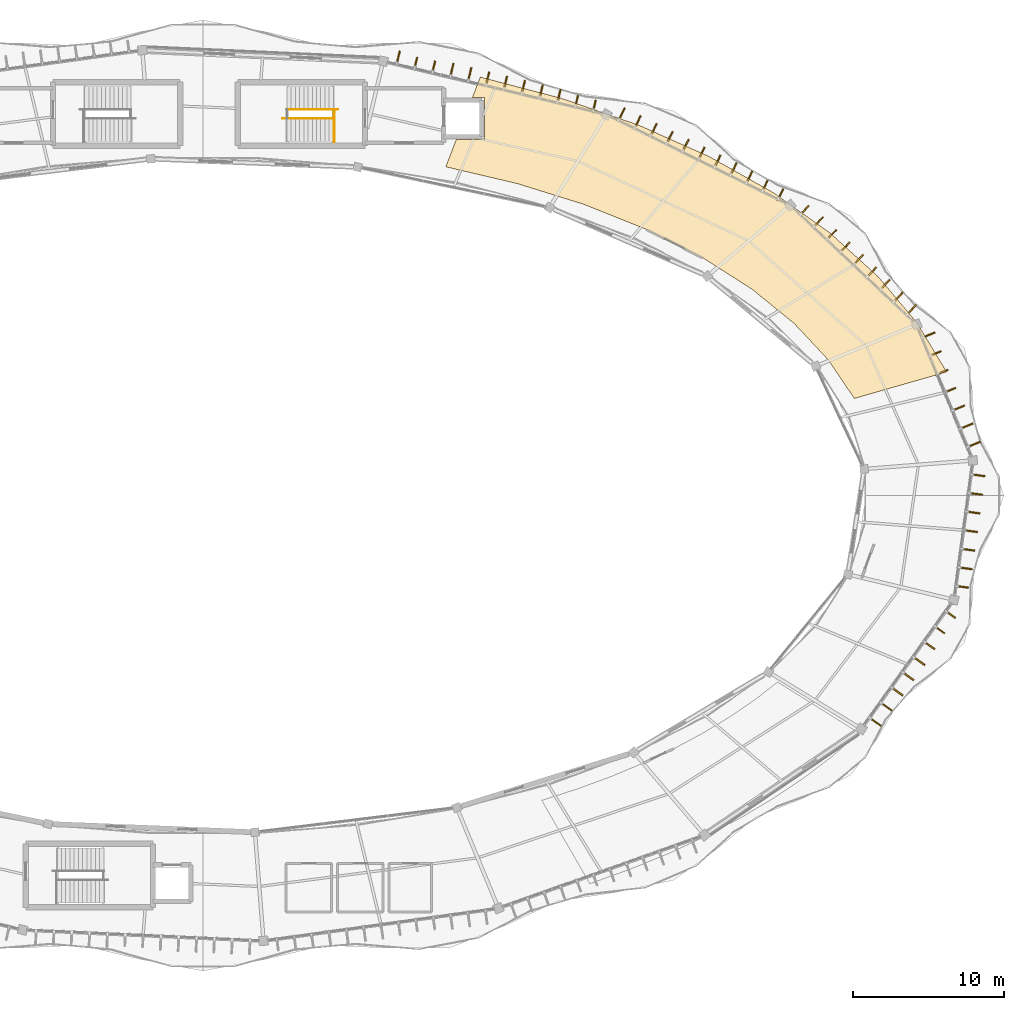
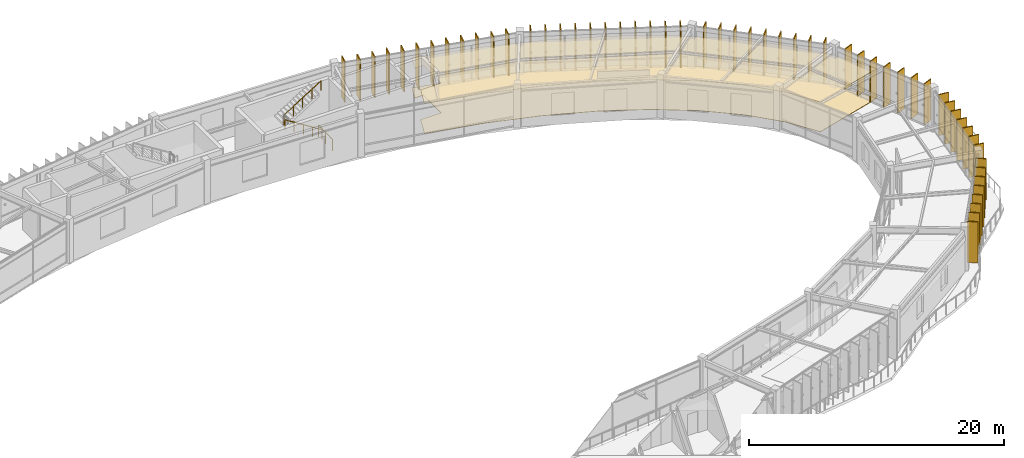
# One storey, part 83 of 83: 54 shading devices, 3 railings, 2 coverings.
"""IFC4 building model written with IfcOpenShell, lengths in metres."""

from ifc_helpers import new_model, si_unit, direction, frame, origin, origin_2d, place, context, subcontext, project, spatial, polyline, rectangle, circle, outline, extrude, material, layer, layer_set, type_object, element, save


model = new_model("IFC4")

# Units and contexts
model_context = context("Model", 3, precision=1e-05, world=origin(), true_north=direction((0.0, 1.0)))
body_context = subcontext(model_context, "Body", "Model", "MODEL_VIEW")
ifc_project = project(units=[si_unit("LENGTHUNIT", "METRE"), si_unit("AREAUNIT", "SQUARE_METRE"), si_unit("VOLUMEUNIT", "CUBIC_METRE"), si_unit("PLANEANGLEUNIT", "RADIAN"), si_unit("MASSUNIT", "GRAM", prefix="KILO"), si_unit("THERMODYNAMICTEMPERATUREUNIT", "KELVIN"), si_unit("POWERUNIT", "WATT")], contexts=[model_context])

# Site, building, storey
site_placement = place(None, origin())
site = spatial("IfcSite", under=ifc_project, at=site_placement, CompositionType="ELEMENT")
building_placement = place(site_placement, origin())
building = spatial("IfcBuilding", under=site, at=building_placement, Name="Darbajah Civic Hall", CompositionType="ELEMENT")
storey_placement = place(building_placement, frame((0.0, 0.0, 18.0)))
storey = spatial("IfcBuildingStorey", under=building, at=storey_placement, Name="L04", CompositionType="ELEMENT", Elevation=18.0)

# Railings
ifc_material_1 = material(Name="Brushed Bronze Stainless Steel", Category="steel")
railing_type_1 = type_object("IfcRailingType", Name="Brushed Bronze Handrail", PredefinedType="HANDRAIL", material=ifc_material_1)
railing_1_placement = place(storey_placement, frame((97.719970703125, 114.699951171875, 0.175048828125)))
element("IfcRailing", 1, at=railing_1_placement, inside=storey, type_object=railing_type_1, Name="ST02 L04 lower flight handrail", PredefinedType="HANDRAIL", context=body_context, shape_type="SweptSolid", body=[
    extrude(circle(Radius=0.02392578125, at=origin_2d()), frame((-0.023193359375, 0.0, 0.910400390625), z_axis=(-0.845926808262, 0.0, 0.533299010935), x_axis=(0.0, -1.0, 0.0)), (0.0, 0.0, 1.0), 3.917236328125),
    extrude(circle(Radius=0.02099609375, at=origin_2d()), origin(), (0.0, 0.0, 1.0), 0.867919921875),
    extrude(circle(Radius=0.02099609375, at=origin_2d()), frame((-0.83984375, 0.0, 0.529541015625)), (0.0, 0.0, 1.0), 0.867919921875),
    extrude(circle(Radius=0.02099609375, at=origin_2d()), frame((-1.679931640625, 0.0, 1.05908203125)), (0.0, 0.0, 1.0), 0.867919921875),
    extrude(circle(Radius=0.02099609375, at=origin_2d()), frame((-2.52001953125, 0.0, 1.588623046875)), (0.0, 0.0, 1.0), 0.867919921875),
    extrude(circle(Radius=0.02099609375, at=origin_2d()), frame((-3.35986328125, 0.0, 2.1181640625)), (0.0, 0.0, 1.0), 0.867919921875),
])
railing_2_placement = place(storey_placement, frame((94.639892578125, 115.300048828125, 2.27490234375)))
element("IfcRailing", 2, at=railing_2_placement, inside=storey, type_object=railing_type_1, Name="ST02 L04 upper flight handrail", PredefinedType="HANDRAIL", context=body_context, shape_type="SweptSolid", body=[
    extrude(circle(Radius=0.02392578125, at=origin_2d()), frame((0.023193359375, 0.0, 0.910400390625), z_axis=(0.845944288966, 0.0, 0.533271281775), x_axis=(0.0, 1.0, 0.0)), (0.0, 0.0, 1.0), 3.91748046875),
    extrude(circle(Radius=0.02099609375, at=origin_2d()), origin(), (0.0, 0.0, 1.0), 0.867919921875),
    extrude(circle(Radius=0.02099609375, at=origin_2d()), frame((0.840087890625, 0.0, 0.529541015625)), (0.0, 0.0, 1.0), 0.867919921875),
    extrude(circle(Radius=0.02099609375, at=origin_2d()), frame((1.68017578125, 0.0, 1.05908203125)), (0.0, 0.0, 1.0), 0.867919921875),
    extrude(circle(Radius=0.02099609375, at=origin_2d()), frame((2.52001953125, 0.0, 1.588623046875)), (0.0, 0.0, 1.0), 0.867919921875),
    extrude(circle(Radius=0.02099609375, at=origin_2d()), frame((3.360107421875, 0.0, 2.1181640625)), (0.0, 0.0, 1.0), 0.867919921875),
])

# Covering
ifc_material_2 = material(Name="Honed Qatari Limestone Terrazzo", Category="masonry")
ifc_layer_1 = layer(ifc_material_2, 0.030029296875, Name="Honed Qatari Limestone Terrazzo")
ifc_layer_set_1 = layer_set([ifc_layer_1], Name="Honed Qatari Limestone Terrazzo")
covering_type_1 = type_object("IfcCoveringType", Name="Honed Qatari Limestone Terrazzo Flooring", PredefinedType="FLOORING", material=ifc_layer_set_1)
covering_1_placement = place(storey_placement, origin())
element("IfcCovering", 3, at=covering_1_placement, inside=storey, type_object=covering_type_1, Name="L04 stone terrazzo flooring L04-V1-03", PredefinedType="FLOORING", context=body_context, shape_type="SweptSolid", body=[
    extrude(outline(polyline([(132.116455078125, 96.20849609375), (130.406005859375, 98.744140625), (128.144287109375, 101.160400390625), (125.36083984375, 103.4248046875), (122.09326171875, 105.507568359375), (118.385009765625, 107.380126953125), (114.285400390625, 109.018310546875), (109.849853515625, 110.3994140625), (105.136962890625, 111.505615234375), (105.83349609375, 113.320068359375), (107.679931640625, 113.320068359375), (107.679931640625, 116.080078125), (106.892822265625, 116.080078125), (107.41259765625, 117.43408203125), (112.794189453125, 116.025634765625), (117.859375, 114.26708984375), (122.540283203125, 112.181640625), (126.77490234375, 109.797607421875), (130.506103515625, 107.146240234375), (133.6845703125, 104.26318359375), (136.267578125, 101.18701171875), (138.220458984375, 97.958984375), (132.116455078125, 96.20849609375)])), origin(), (0.0, 0.0, 1.0), 0.030029296875),
])

# Railing
ifc_material_3 = material(Name="Brushed Bronze and Laminated Safety Glass", Category="glass")
railing_type_2 = type_object("IfcRailingType", Name="Interior Guard Balustrade", PredefinedType="BALUSTRADE", material=ifc_material_3)
railing_3_placement = place(storey_placement, frame((97.77001953125, 113.14990234375, 0.0)))
element("IfcRailing", 4, at=railing_3_placement, inside=storey, type_object=railing_type_2, Name="ST02 L04 stair-well edge guard", PredefinedType="BALUSTRADE", context=body_context, shape_type="SweptSolid", body=[
    extrude(circle(Radius=0.02392578125, at=origin_2d()), frame((0.0, 0.02734375, 1.09619140625), z_axis=(0.0, 1.0, 0.0), x_axis=(-1.0, 0.0, 0.0)), (0.0, 0.0, 1.0), 2.095458984375),
    extrude(circle(Radius=0.02099609375, at=origin_2d()), origin(), (0.0, 0.0, 1.0), 1.068115234375),
    extrude(circle(Radius=0.02099609375, at=origin_2d()), frame((0.0, 1.0751953125, 0.0)), (0.0, 0.0, 1.0), 1.068115234375),
    extrude(circle(Radius=0.02099609375, at=origin_2d()), frame((0.0, 2.150146484375, 0.0)), (0.0, 0.0, 1.0), 1.068115234375),
])

# Covering
ifc_material_4 = material(Name="Perforated Acoustic Gypsum Board")
ifc_layer_2 = layer(ifc_material_4, 0.02490234375, Name="Perforated Acoustic Gypsum Board")
ifc_layer_set_2 = layer_set([ifc_layer_2], Name="Perforated Acoustic Gypsum Board")
covering_type_2 = type_object("IfcCoveringType", Name="Perforated Acoustic Gypsum Ceiling", PredefinedType="CEILING", material=ifc_layer_set_2)
covering_2_placement = place(storey_placement, frame((0.0, 0.0, 2.85009765625)))
element("IfcCovering", 5, at=covering_2_placement, inside=storey, type_object=covering_type_2, Name="L04 acoustic suspended ceiling L04-V1-03", PredefinedType="CEILING", context=body_context, shape_type="SweptSolid", body=[
    extrude(outline(polyline([(132.116455078125, 96.20849609375), (130.406005859375, 98.744140625), (128.144287109375, 101.160400390625), (125.36083984375, 103.4248046875), (122.09326171875, 105.507568359375), (118.385009765625, 107.380126953125), (114.285400390625, 109.018310546875), (109.849853515625, 110.3994140625), (105.136962890625, 111.505615234375), (105.83349609375, 113.320068359375), (107.679931640625, 113.320068359375), (107.679931640625, 116.080078125), (106.892822265625, 116.080078125), (107.41259765625, 117.43408203125), (112.794189453125, 116.025634765625), (117.859375, 114.26708984375), (122.540283203125, 112.181640625), (126.77490234375, 109.797607421875), (130.506103515625, 107.146240234375), (133.6845703125, 104.26318359375), (136.267578125, 101.18701171875), (138.220458984375, 97.958984375), (132.116455078125, 96.20849609375)])), origin(), (0.0, 0.0, 1.0), 0.02490234375),
])

# Shading devices
ifc_material_5 = material(Name="Bronze Anodised Aluminium and Teak Composite", Category="aluminium")
shading_device_type = type_object("IfcShadingDeviceType", Name="Vertical Bronze Timber Shading Fin", PredefinedType="USERDEFINED", material=ifc_material_5)
for number, where, z_axis, x_axis, name in (
    (6, (140.052978515625, 93.19189453125, 0.0), (0.0, 0.0, 1.0), (0.923612143954, 0.383328328644, 0.0), "L04 vertical shading fin VF-00-1"),
    (7, (139.55419921875, 94.394287109375, 0.0), (0.0, 0.0, 1.0), (0.923612143954, 0.383328328644, 0.0), "L04 vertical shading fin VF-00-2"),
    (8, (139.0048828125, 95.576171875, 0.0), (0.0, 0.0, 1.0), (0.923612143954, 0.383328328644, 0.0), "L04 vertical shading fin VF-00-3"),
    (9, (138.4150390625, 96.74072265625, 0.0), (0.0, 0.0, 1.0), (0.923612143954, 0.383328328644, 0.0), "L04 vertical shading fin VF-00-4"),
    (10, (137.896484375, 97.93505859375, 0.0), (0.0, 0.0, 1.0), (0.923612143954, 0.383328328644, 0.0), "L04 vertical shading fin VF-00-5"),
    (11, (137.457275390625, 99.162353515625, 0.0), (0.0, 0.0, 1.0), (0.923612143954, 0.383328328644, 0.0), "L04 vertical shading fin VF-00-6"),
    (12, (137.058837890625, 100.406494140625, 0.0), (0.0, 0.0, 1.0), (0.923612143954, 0.383328328644, 0.0), "L04 vertical shading fin VF-00-7"),
    (13, (135.9130859375, 102.085205078125, 0.0), (0.0, 0.0, 1.0), (0.686453193248, 0.727173991201, 0.0), "L04 vertical shading fin VF-01-1"),
    (14, (135.035400390625, 102.91357421875, 0.0), (0.0, 0.0, 1.0), (0.686453193248, 0.727173991201, 0.0), "L04 vertical shading fin VF-01-2"),
    (15, (134.157958984375, 103.74169921875, 0.0), (0.0, 0.0, 1.0), (0.686453193248, 0.727173991201, 0.0), "L04 vertical shading fin VF-01-3"),
    (16, (133.280517578125, 104.570068359375, 0.0), (0.0, 0.0, 1.0), (0.686453193248, 0.727173991201, 0.0), "L04 vertical shading fin VF-01-4"),
    (17, (132.40283203125, 105.3984375, 0.0), (0.0, 0.0, 1.0), (0.686453193248, 0.727173991201, 0.0), "L04 vertical shading fin VF-01-5"),
    (18, (131.525146484375, 106.226806640625, 0.0), (0.0, 0.0, 1.0), (0.686453193248, 0.727173991201, 0.0), "L04 vertical shading fin VF-01-6"),
    (19, (130.647705078125, 107.05517578125, 0.0), (0.0, 0.0, 1.0), (0.686453193248, 0.727173991201, 0.0), "L04 vertical shading fin VF-01-7"),
    (20, (129.77001953125, 107.88330078125, 0.0), (0.0, 0.0, 1.0), (0.686453193248, 0.727173991201, 0.0), "L04 vertical shading fin VF-01-8"),
    (21, (128.816162109375, 108.630615234375, 0.0), (0.0, 0.0, 1.0), (0.686453193248, 0.727173991201, 0.0), "L04 vertical shading fin VF-01-9"),
    (22, (127.2333984375, 109.6572265625, 0.0), (0.0, 0.0, 1.0), (0.442914717678, 0.89656374724, 0.0), "L04 vertical shading fin VF-02-1"),
    (23, (126.199462890625, 110.218017578125, 0.0), (0.0, 0.0, 1.0), (0.442914717678, 0.89656374724, 0.0), "L04 vertical shading fin VF-02-2"),
    (24, (125.1923828125, 110.83349609375, 0.0), (0.0, 0.0, 1.0), (0.442914717678, 0.89656374724, 0.0), "L04 vertical shading fin VF-02-3"),
    (25, (124.149658203125, 111.376220703125, 0.0), (0.0, 0.0, 1.0), (0.442914717678, 0.89656374724, 0.0), "L04 vertical shading fin VF-02-4"),
    (26, (123.095947265625, 111.89697265625, 0.0), (0.0, 0.0, 1.0), (0.442914717678, 0.89656374724, 0.0), "L04 vertical shading fin VF-02-5"),
    (27, (122.042236328125, 112.41748046875, 0.0), (0.0, 0.0, 1.0), (0.442914717678, 0.89656374724, 0.0), "L04 vertical shading fin VF-02-6"),
    (28, (120.98828125, 112.93798828125, 0.0), (0.0, 0.0, 1.0), (0.442914717678, 0.89656374724, 0.0), "L04 vertical shading fin VF-02-7"),
    (29, (119.9345703125, 113.458740234375, 0.0), (0.0, 0.0, 1.0), (0.442914717678, 0.89656374724, 0.0), "L04 vertical shading fin VF-02-8"),
    (30, (118.880859375, 113.979248046875, 0.0), (0.0, 0.0, 1.0), (0.442914717678, 0.89656374724, 0.0), "L04 vertical shading fin VF-02-9"),
    (31, (117.826904296875, 114.5, 0.0), (0.0, 0.0, 1.0), (0.442914717678, 0.89656374724, 0.0), "L04 vertical shading fin VF-02-10"),
    (32, (116.76611328125, 115.006103515625, 0.0), (0.0, 0.0, 1.0), (0.442914717678, 0.89656374724, 0.0), "L04 vertical shading fin VF-02-11"),
    (33, (114.943603515625, 115.497802734375, 0.0), (0.0, 0.0, 1.0), (0.232936200179, 0.972492018808, 0.0), "L04 vertical shading fin VF-03-1"),
    (34, (113.77001953125, 115.8046875, 0.0), (0.0, 0.0, 1.0), (0.232936200179, 0.972492018808, 0.0), "L04 vertical shading fin VF-03-2"),
    (35, (112.62060546875, 116.21337890625, 0.0), (0.0, 0.0, 1.0), (0.232936200179, 0.972492018808, 0.0), "L04 vertical shading fin VF-03-3"),
    (36, (111.4453125, 116.51318359375, 0.0), (0.0, 0.0, 1.0), (0.232936200179, 0.972492018808, 0.0), "L04 vertical shading fin VF-03-4"),
    (37, (110.265869140625, 116.7958984375, 0.0), (0.0, 0.0, 1.0), (0.232936200179, 0.972492018808, 0.0), "L04 vertical shading fin VF-03-5"),
    (38, (109.086181640625, 117.078369140625, 0.0), (0.0, 0.0, 1.0), (0.232936200179, 0.972492018808, 0.0), "L04 vertical shading fin VF-03-6"),
    (39, (107.90673828125, 117.361083984375, 0.0), (0.0, 0.0, 1.0), (0.232936200179, 0.972492018808, 0.0), "L04 vertical shading fin VF-03-7"),
    (40, (106.727294921875, 117.6435546875, 0.0), (0.0, 0.0, 1.0), (0.232936200179, 0.972492018808, 0.0), "L04 vertical shading fin VF-03-8"),
    (41, (105.547607421875, 117.92626953125, 0.0), (0.0, 0.0, 1.0), (0.232936200179, 0.972492018808, 0.0), "L04 vertical shading fin VF-03-9"),
    (42, (104.33740234375, 118.080078125, 0.0), (0.0, 0.0, 1.0), (0.232936200179, 0.972492018808, 0.0), "L04 vertical shading fin VF-03-10"),
    (43, (103.1494140625, 118.327880859375, 0.0), (0.0, 0.0, 1.0), (0.232936200179, 0.972492018808, 0.0), "L04 vertical shading fin VF-03-11"),
    (44, (102.00244140625, 118.74560546875, 0.0), (0.0, 0.0, 1.0), (0.232936200179, 0.972492018808, 0.0), "L04 vertical shading fin VF-03-12"),
    (45, (133.538818359375, 74.834228515625, 0.0), (0.0, 0.0, 1.0), (0.812999149039, -0.582264874145, 0.0), "L04 vertical shading fin VF-18-1"),
    (46, (134.258056640625, 75.838623046875, 0.0), (0.0, 0.0, 1.0), (0.812999149039, -0.582264874145, 0.0), "L04 vertical shading fin VF-18-2"),
    (47, (134.9775390625, 76.84326171875, 0.0), (0.0, 0.0, 1.0), (0.812999149039, -0.582264874145, 0.0), "L04 vertical shading fin VF-18-3"),
    (48, (135.69677734375, 77.847900390625, 0.0), (0.0, 0.0, 1.0), (0.812999149039, -0.582264874145, 0.0), "L04 vertical shading fin VF-18-4"),
    (49, (136.416015625, 78.852294921875, 0.0), (0.0, 0.0, 1.0), (0.812999149039, -0.582264874145, 0.0), "L04 vertical shading fin VF-18-5"),
    (50, (137.084716796875, 79.893310546875, 0.0), (0.0, 0.0, 1.0), (0.812999149039, -0.582264874145, 0.0), "L04 vertical shading fin VF-18-6"),
    (51, (137.732177734375, 80.94921875, 0.0), (0.0, 0.0, 1.0), (0.812999149039, -0.582264874145, 0.0), "L04 vertical shading fin VF-18-7"),
    (52, (138.430908203125, 81.96826171875, 0.0), (0.0, 0.0, 1.0), (0.812999149039, -0.582264874145, 0.0), "L04 vertical shading fin VF-18-8"),
    (53, (139.23876953125, 83.769287109375, 0.0), (0.0, 0.0, 1.0), (0.990865897387, -0.134850930274, 0.0), "L04 vertical shading fin VF-19-1"),
    (54, (139.49267578125, 84.986572265625, 0.0), (0.0, 0.0, 1.0), (0.990865897387, -0.134850930274, 0.0), "L04 vertical shading fin VF-19-2"),
    (55, (139.659912109375, 86.215576171875, 0.0), (0.0, 0.0, 1.0), (0.990865897387, -0.134850930274, 0.0), "L04 vertical shading fin VF-19-3"),
    (56, (139.8271484375, 87.444580078125, 0.0), (0.0, 0.0, 1.0), (0.990865897387, -0.134850930274, 0.0), "L04 vertical shading fin VF-19-4"),
    (57, (139.994384765625, 88.673583984375, 0.0), (0.0, 0.0, 1.0), (0.990865897387, -0.134850930274, 0.0), "L04 vertical shading fin VF-19-5"),
    (58, (140.16162109375, 89.90234375, 0.0), (0.0, 0.0, 1.0), (0.990865897387, -0.134850930274, 0.0), "L04 vertical shading fin VF-19-6"),
    (59, (140.328857421875, 91.13134765625, 0.0), (0.0, 0.0, 1.0), (0.990865897387, -0.134850930274, 0.0), "L04 vertical shading fin VF-19-7"),
):
    element("IfcShadingDevice", number, at=place(storey_placement, frame(where, z_axis=z_axis, x_axis=x_axis)), inside=storey, type_object=shading_device_type, Name=name, ObjectType="VERTICAL FIN", PredefinedType="USERDEFINED", context=body_context, shape_type="SweptSolid", body=[
        extrude(rectangle(XDim=0.85009765625, YDim=0.090087890625, at=origin_2d()), origin(), (0.0, 0.0, 1.0), 3.919921875),
    ])

save(model, "model.ifc")
